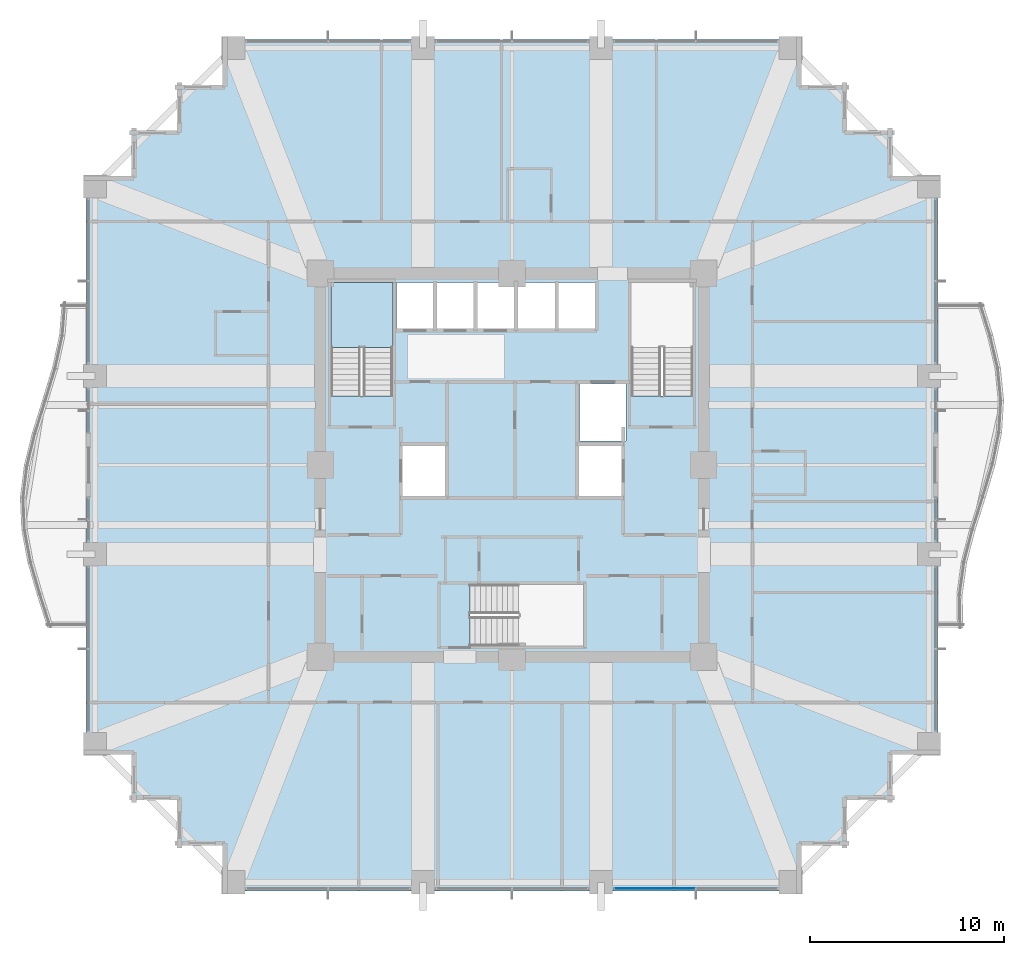
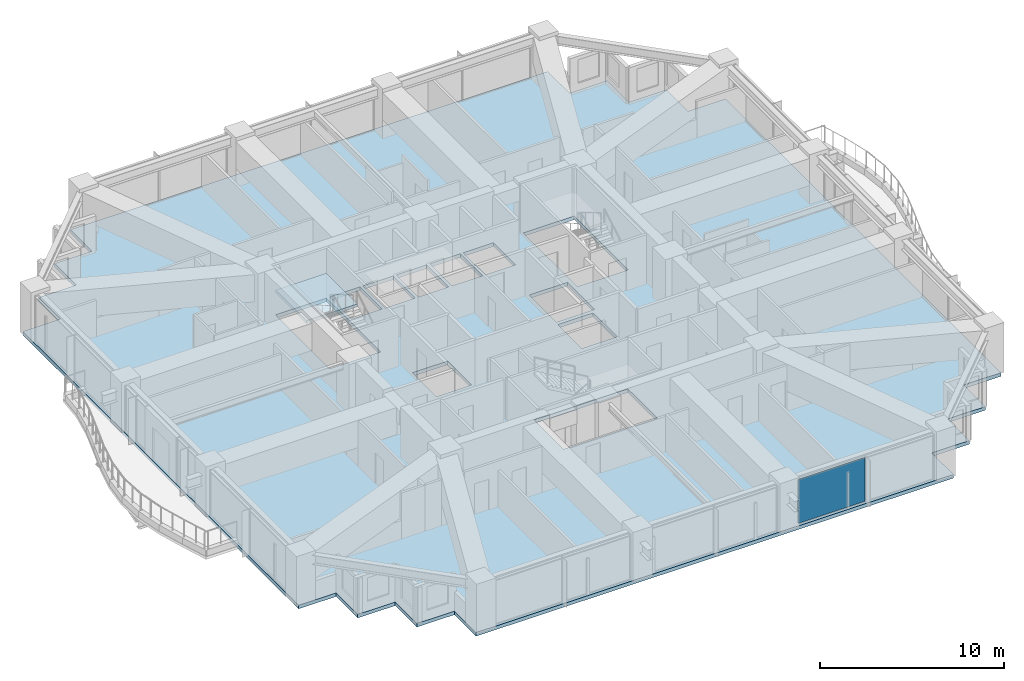
# One storey, part 30 of 39: 2 slabs, 1 plate, 2 elements without a shape of their own.
"""IFC4 building model written with IfcOpenShell, lengths in metres."""

from ifc_helpers import new_model, si_unit, direction, frame, origin, origin_2d, place, context, subcontext, project, spatial, polyline, rectangle, outline, extrude, material, layer, layer_set, type_object, element, aggregate, save


model = new_model("IFC4")

# Units and contexts
model_context = context("Model", 3, precision=1e-05, world=origin(), true_north=direction((0.0, 1.0)))
body_context = subcontext(model_context, "Body", "Model", "MODEL_VIEW")
ifc_project = project(units=[si_unit("LENGTHUNIT", "METRE"), si_unit("AREAUNIT", "SQUARE_METRE"), si_unit("VOLUMEUNIT", "CUBIC_METRE"), si_unit("PLANEANGLEUNIT", "RADIAN"), si_unit("MASSUNIT", "GRAM", prefix="KILO")], contexts=[model_context])

# Site, building, storey
site_placement = place(None, origin())
site = spatial("IfcSite", under=ifc_project, at=site_placement, CompositionType="ELEMENT")
building_placement = place(site_placement, origin())
building = spatial("IfcBuilding", under=site, at=building_placement, Name="Kolvaren Belvedere", CompositionType="ELEMENT")
storey_placement = place(building_placement, frame((0.0, 0.0, 40.300048828125)))
storey = spatial("IfcBuildingStorey", under=building, at=storey_placement, Name="L11", CompositionType="ELEMENT", Elevation=40.300048828125)

# Curtain wall, plate
ifc_material_1 = material(Name="Anodised pale-metal aluminium AA 6063-T6", Category="aluminium")
curtain_wall_type = type_object("IfcCurtainWallType", Name="CW-Z1-LOW", PredefinedType="NOTDEFINED", material=ifc_material_1)
curtain_wall_placement = place(storey_placement, origin())
curtain_wall = element("IfcCurtainWall", 1, at=curtain_wall_placement, inside=storey, type_object=curtain_wall_type, Name="L11 Unitised Curtain Wall FCW-L11-S-B1", PredefinedType="NOTDEFINED")
ifc_material_2 = material(Name="Low-iron triple insulated glass", Category="glass")
ifc_layer_1 = layer(ifc_material_2, 0.028076171875)
ifc_layer_set_1 = layer_set([ifc_layer_1], Name="Low-iron triple insulated glass")
plate_type = type_object("IfcPlateType", Name="CW-PNL-VIS28", PredefinedType="CURTAIN_PANEL", material=ifc_layer_set_1)
plate_placement = place(storey_placement, frame((7.37744140625, -21.8798828125, 0.080078125), z_axis=(0.0, 0.0, 1.0), x_axis=(-1.0, 0.0, 0.0)))
plate = element("IfcPlate", 2, at=plate_placement, type_object=plate_type, Name="FCW-L11-S-B1 Vision Glazing Panel 2", PredefinedType="CURTAIN_PANEL", context=body_context, shape_type="SweptSolid", body=[
    extrude(rectangle(XDim=4.1650390625, YDim=0.028076171875, at=origin_2d()), origin(), (0.0, 0.0, 1.0), 2.89990234375),
])
aggregate(curtain_wall, [plate])

# Slab
ifc_material_3 = material(Name="Concrete C50/60", Category="concrete")
ifc_layer_2 = layer(ifc_material_3, 0.239990234375)
ifc_layer_set_2 = layer_set([ifc_layer_2], Name="Concrete C50/60")
slab_type_1 = type_object("IfcSlabType", Name="SL-FLR-240", PredefinedType="FLOOR", material=ifc_layer_set_2)
slab_1_placement = place(storey_placement, frame((0.0, 0.0, -0.239990234375)))
element("IfcSlab", 3, at=slab_1_placement, inside=storey, type_object=slab_type_1, Name="L11 Primary Structural Slab", PredefinedType="FLOOR", context=body_context, shape_type="SweptSolid", body=[
    extrude(outline(polyline([(-14.949951171875, -22.0), (14.949951171875, -22.0), (14.949951171875, -19.64990234375), (17.300048828125, -19.64990234375), (17.300048828125, -17.300048828125), (19.64990234375, -17.300048828125), (19.64990234375, -14.949951171875), (22.0, -14.949951171875), (22.0, 14.949951171875), (19.64990234375, 14.949951171875), (19.64990234375, 17.300048828125), (17.300048828125, 17.300048828125), (17.300048828125, 19.64990234375), (14.949951171875, 19.64990234375), (14.949951171875, 22.0), (-14.949951171875, 22.0), (-14.949951171875, 19.64990234375), (-17.300048828125, 19.64990234375), (-17.300048828125, 17.300048828125), (-19.64990234375, 17.300048828125), (-19.64990234375, 14.949951171875), (-22.0, 14.949951171875), (-22.0, -14.949951171875), (-19.64990234375, -14.949951171875), (-19.64990234375, -17.300048828125), (-17.300048828125, -17.300048828125), (-17.300048828125, -19.64990234375), (-14.949951171875, -19.64990234375), (-14.949951171875, -22.0)]), holes=[polyline([(-9.35009765625, 3.580078125), (-6.159912109375, 3.580078125), (-6.159912109375, 9.449951171875), (-9.35009765625, 9.449951171875), (-9.35009765625, 3.580078125)]), polyline([(6.159912109375, 3.580078125), (9.35009765625, 3.580078125), (9.35009765625, 9.449951171875), (6.159912109375, 9.449951171875), (6.159912109375, 3.580078125)]), polyline([(-2.169921875, -9.35009765625), (3.699951171875, -9.35009765625), (3.699951171875, -6.159912109375), (-2.169921875, -6.159912109375), (-2.169921875, -9.35009765625)]), polyline([(-5.64990234375, -1.60009765625), (-3.449951171875, -1.60009765625), (-3.449951171875, 1.0), (-5.64990234375, 1.0), (-5.64990234375, -1.60009765625)]), polyline([(3.5, 1.25), (5.89990234375, 1.25), (5.89990234375, 4.199951171875), (3.5, 4.199951171875), (3.5, 1.25)]), polyline([(3.449951171875, -1.60009765625), (5.64990234375, -1.60009765625), (5.64990234375, 1.0), (3.449951171875, 1.0), (3.449951171875, -1.60009765625)]), polyline([(-5.9599609375, 7.050048828125), (-4.06005859375, 7.050048828125), (-4.06005859375, 9.449951171875), (-5.9599609375, 9.449951171875), (-5.9599609375, 7.050048828125)]), polyline([(-3.8798828125, 7.050048828125), (-1.97998046875, 7.050048828125), (-1.97998046875, 9.449951171875), (-3.8798828125, 9.449951171875), (-3.8798828125, 7.050048828125)]), polyline([(-1.800048828125, 7.050048828125), (0.10009765625, 7.050048828125), (0.10009765625, 9.449951171875), (-1.800048828125, 9.449951171875), (-1.800048828125, 7.050048828125)]), polyline([(0.320068359375, 7.050048828125), (2.219970703125, 7.050048828125), (2.219970703125, 9.449951171875), (0.320068359375, 9.449951171875), (0.320068359375, 7.050048828125)]), polyline([(2.39990234375, 7.050048828125), (4.300048828125, 7.050048828125), (4.300048828125, 9.449951171875), (2.39990234375, 9.449951171875), (2.39990234375, 7.050048828125)])]), origin(), (0.0, 0.0, 1.0), 0.239990234375),
])

# Stair, slab
ifc_material_4 = material(Name="Concrete C50/60", Category="concrete")
stair_type = type_object("IfcStairType", Name="ST-CORE-1520", PredefinedType="HALF_TURN_STAIR", material=ifc_material_4)
stair_placement = place(storey_placement, origin())
stair = element("IfcStair", 4, at=stair_placement, inside=storey, type_object=stair_type, Name="L11 Protected Exit Stair ST-1", PredefinedType="HALF_TURN_STAIR")
ifc_material_5 = material(Name="Concrete C50/60", Category="concrete")
ifc_layer_3 = layer(ifc_material_5, 0.260009765625)
ifc_layer_set_3 = layer_set([ifc_layer_3], Name="Concrete C50/60")
slab_type_2 = type_object("IfcSlabType", Name="SL-LAND-260", PredefinedType="LANDING", material=ifc_layer_set_3)
slab_2_placement = place(storey_placement, frame((0.0, 0.0, 1.449951171875)))
slab_2 = element("IfcSlab", 5, at=slab_2_placement, type_object=slab_type_2, Name="ST-1 landing 1", PredefinedType="LANDING", context=body_context, shape_type="SweptSolid", body=[
    extrude(outline(polyline([(-6.159912109375, 6.090087890625), (-6.159912109375, 9.449951171875), (-9.35009765625, 9.449951171875), (-9.35009765625, 6.090087890625), (-6.159912109375, 6.090087890625)])), origin(), (0.0, 0.0, 1.0), 0.199951171875),
])
aggregate(stair, [slab_2])

save(model, "model.ifc")
